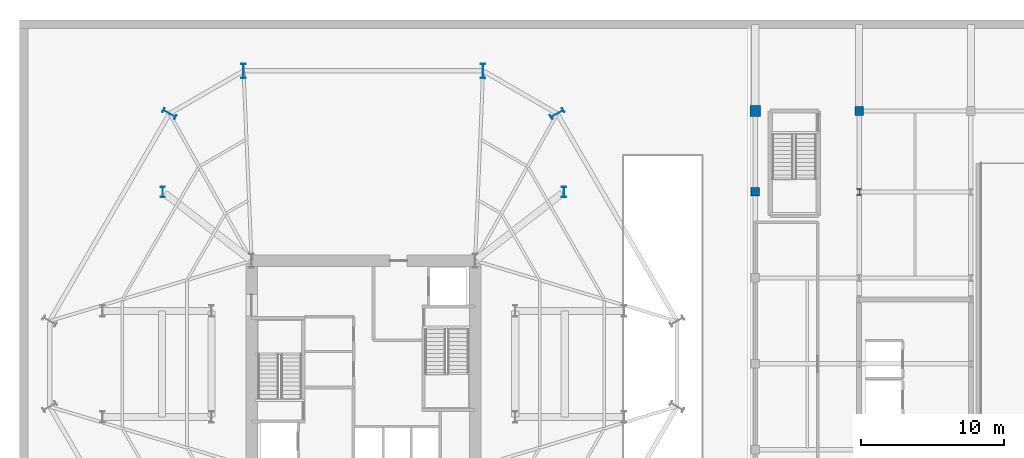
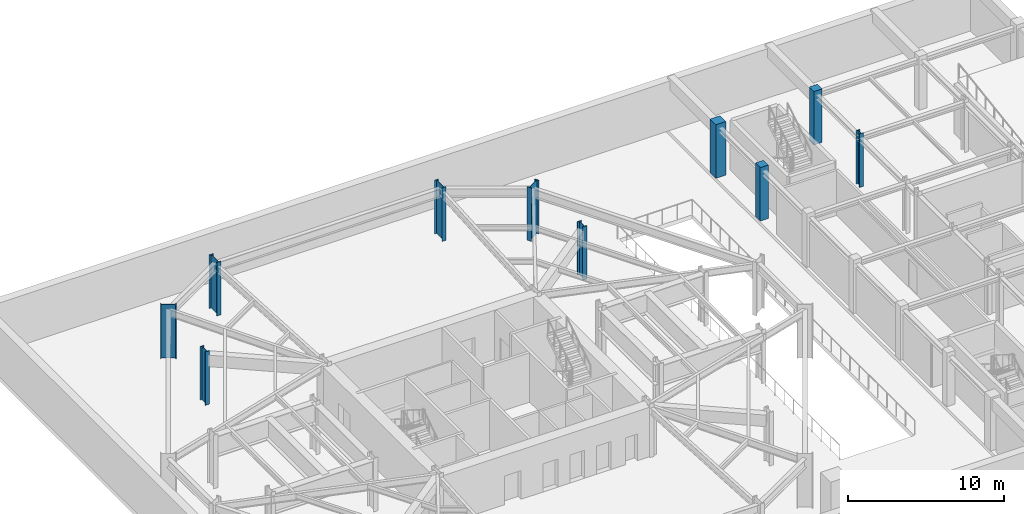
# One storey, part 3 of 12: 10 columns.
"""IFC4 building model written with IfcOpenShell, lengths in metres."""

from ifc_helpers import new_model, si_unit, direction, frame, origin, origin_2d, place, context, subcontext, project, spatial, rectangle, i_section, extrude, material, material_profile, profile_set, type_object, element, save


model = new_model("IFC4")

# Units and contexts
model_context = context("Model", 3, precision=1e-05, world=origin(), true_north=direction((0.0, 1.0)))
body_context = subcontext(model_context, "Body", "Model", "MODEL_VIEW")
ifc_project = project(units=[si_unit("LENGTHUNIT", "METRE"), si_unit("AREAUNIT", "SQUARE_METRE"), si_unit("VOLUMEUNIT", "CUBIC_METRE"), si_unit("PLANEANGLEUNIT", "RADIAN"), si_unit("MASSUNIT", "GRAM", prefix="KILO")], contexts=[model_context])

# Site, building, storey
site_placement = place(None, origin())
site = spatial("IfcSite", under=ifc_project, at=site_placement, CompositionType="ELEMENT")
building_placement = place(site_placement, origin())
building = spatial("IfcBuilding", under=site, at=building_placement, Name="Kranzbogen Civic Tower", CompositionType="ELEMENT")
storey_placement = place(building_placement, frame((0.0, 0.0, -4.199951171875)))
storey = spatial("IfcBuildingStorey", under=building, at=storey_placement, Name="B01", CompositionType="ELEMENT", Elevation=-4.199951171875)

# Columns
ifc_material_1 = material(Name="Steel S355", Category="steel")
ifc_material_profile_1 = material_profile(ifc_material_1, i_section(OverallWidth=0.300048828125, OverallDepth=0.449951171875, WebThickness=0.013916015625, FlangeThickness=0.02587890625, at=origin_2d()), Name="HEB 450")
ifc_profile_set_1 = profile_set([ifc_material_profile_1], Name="Steel S355")
column_type_1 = type_object("IfcColumnType", Name="Structural Column HEB 450", PredefinedType="COLUMN", material=ifc_profile_set_1)
column_1_placement = place(storey_placement, frame((59.60009765625, 37.0, 0.0), z_axis=(0.0, 0.0, 1.0), x_axis=(1.0, 0.0, 0.0)))
element("IfcColumn", 1, at=column_1_placement, inside=storey, type_object=column_type_1, Name="B01 Health Centre column 11/G", PredefinedType="COLUMN", context=body_context, shape_type="SweptSolid", body=[
    extrude(i_section(OverallWidth=0.300048828125, OverallDepth=0.449951171875, WebThickness=0.013916015625, FlangeThickness=0.02587890625, at=origin_2d()), origin(), (0.0, 0.0, 1.0), 4.199951171875),
])
ifc_material_2 = material(Name="Steel S460", Category="steel")
ifc_material_profile_2 = material_profile(ifc_material_2, i_section(OverallWidth=0.302001953125, OverallDepth=1.008056640625, WebThickness=0.02099609375, FlangeThickness=0.0400390625, at=origin_2d()), Name="HEM 1000")
ifc_profile_set_2 = profile_set([ifc_material_profile_2], Name="Steel S460")
column_type_2 = type_object("IfcColumnType", Name="Structural Column HEM 1000", PredefinedType="COLUMN", material=ifc_profile_set_2)
for number, where, z_axis, x_axis, name in (
    (2, (38.531005859375, 42.464111328125, 0.0), (0.0, 0.0, 1.0), (-0.5, 0.866025403784, 0.0), "B01 tower perimeter tube column 02"),
    (3, (33.35888671875, 45.449951171875, 0.0), (0.0, 0.0, 1.0), (1.0, 0.0, 0.0), "B01 tower perimeter tube column 03"),
    (4, (16.64111328125, 45.449951171875, 0.0), (0.0, 0.0, 1.0), (1.0, 0.0, 0.0), "B01 tower perimeter tube column 04"),
    (5, (11.468994140625, 42.464111328125, 0.0), (0.0, 0.0, 1.0), (0.5, 0.866025403784, 0.0), "B01 tower perimeter tube column 05"),
):
    element("IfcColumn", number, at=place(storey_placement, frame(where, z_axis=z_axis, x_axis=x_axis)), inside=storey, type_object=column_type_2, Name=name, PredefinedType="COLUMN", context=body_context, shape_type="SweptSolid", body=[
        extrude(i_section(OverallWidth=0.302001953125, OverallDepth=1.008056640625, WebThickness=0.02099609375, FlangeThickness=0.0400390625, at=origin_2d()), origin(), (0.0, 0.0, 1.0), 4.199951171875),
    ])
ifc_material_profile_3 = material_profile(ifc_material_2, i_section(OverallWidth=0.303955078125, OverallDepth=0.716064453125, WebThickness=0.02099609375, FlangeThickness=0.0400390625, at=origin_2d()), Name="HEM 700")
ifc_profile_set_3 = profile_set([ifc_material_profile_3], Name="Steel S460")
column_type_3 = type_object("IfcColumnType", Name="Structural Column HEM 700", PredefinedType="COLUMN", material=ifc_profile_set_3)
for number, where, z_axis, x_axis, name in (
    (6, (11.0, 37.0, 0.0), (0.0, 0.0, 1.0), (1.0, 0.0, 0.0), "B01 basement auxiliary column 3"),
    (7, (39.0, 37.0, 0.0), (0.0, 0.0, 1.0), (1.0, 0.0, 0.0), "B01 basement auxiliary column 4"),
):
    element("IfcColumn", number, at=place(storey_placement, frame(where, z_axis=z_axis, x_axis=x_axis)), inside=storey, type_object=column_type_3, Name=name, PredefinedType="COLUMN", context=body_context, shape_type="SweptSolid", body=[
        extrude(i_section(OverallWidth=0.303955078125, OverallDepth=0.716064453125, WebThickness=0.02099609375, FlangeThickness=0.0400390625, at=origin_2d()), origin(), (0.0, 0.0, 1.0), 4.199951171875),
    ])
ifc_material_3 = material(Name="Concrete C40/50", Category="concrete")
ifc_material_profile_4 = material_profile(ifc_material_3, rectangle(XDim=0.60009765625, YDim=0.60009765625, at=origin_2d()), Name="RC 600x600")
ifc_profile_set_4 = profile_set([ifc_material_profile_4], Name="Concrete C40/50")
column_type_4 = type_object("IfcColumnType", Name="Structural Column RC 600x600", PredefinedType="COLUMN", material=ifc_profile_set_4)
for number, where, z_axis, x_axis, name in (
    (8, (52.35009765625, 37.0, 0.0), (0.0, 0.0, 1.0), (1.0, 0.0, 0.0), "B01 Health Centre column 10/G"),
    (9, (59.60009765625, 42.64990234375, 0.0), (0.0, 0.0, 1.0), (1.0, 0.0, 0.0), "B01 Health Centre column 11/H"),
):
    element("IfcColumn", number, at=place(storey_placement, frame(where, z_axis=z_axis, x_axis=x_axis)), inside=storey, type_object=column_type_4, Name=name, PredefinedType="COLUMN", context=body_context, shape_type="SweptSolid", body=[
        extrude(rectangle(XDim=0.60009765625, YDim=0.60009765625, at=origin_2d()), origin(), (0.0, 0.0, 1.0), 4.199951171875),
    ])
ifc_material_profile_5 = material_profile(ifc_material_3, rectangle(XDim=0.75, YDim=0.75, at=origin_2d()), Name="RC 750x750")
ifc_profile_set_5 = profile_set([ifc_material_profile_5], Name="Concrete C40/50")
column_type_5 = type_object("IfcColumnType", Name="Structural Column RC 750x750", PredefinedType="COLUMN", material=ifc_profile_set_5)
column_2_placement = place(storey_placement, frame((52.35009765625, 42.64990234375, 0.0), z_axis=(0.0, 0.0, 1.0), x_axis=(1.0, 0.0, 0.0)))
element("IfcColumn", 10, at=column_2_placement, inside=storey, type_object=column_type_5, Name="B01 Health Centre column 10/H", PredefinedType="COLUMN", context=body_context, shape_type="SweptSolid", body=[
    extrude(rectangle(XDim=0.75, YDim=0.75, at=origin_2d()), origin(), (0.0, 0.0, 1.0), 4.199951171875),
])

save(model, "model.ifc")
